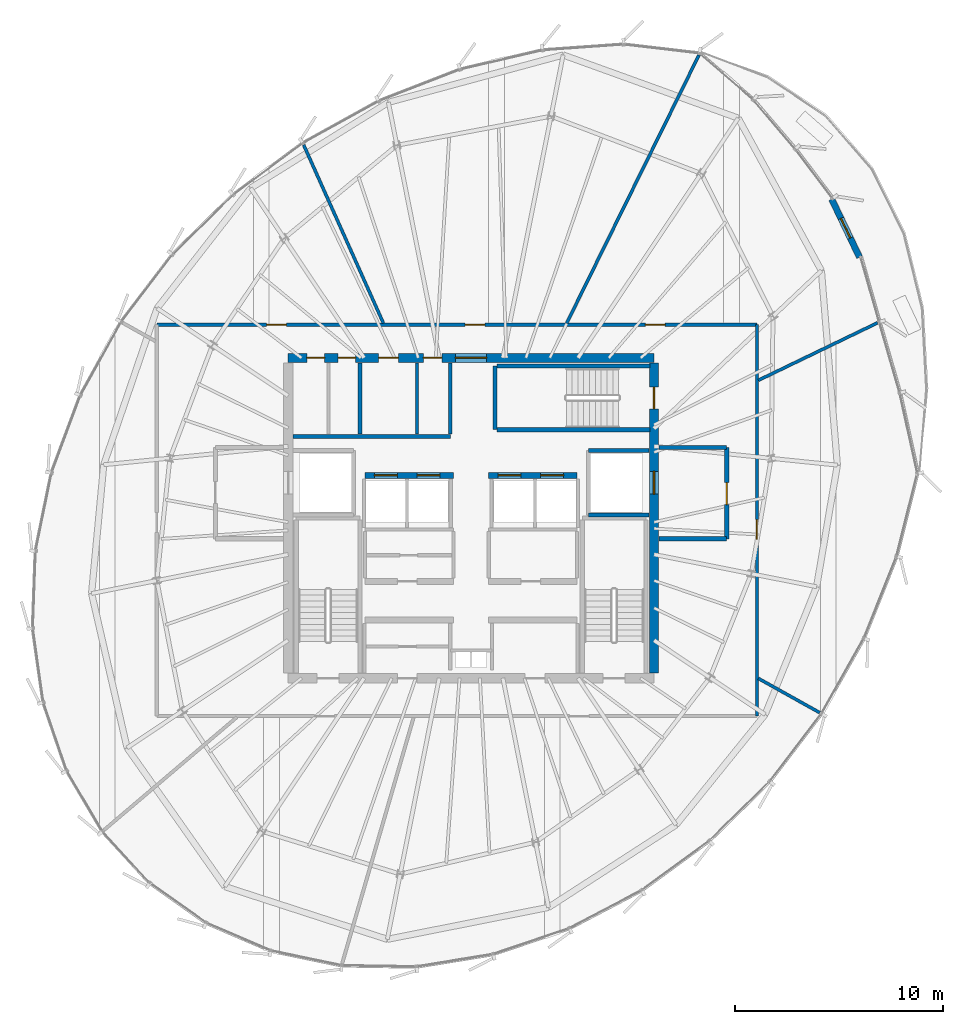
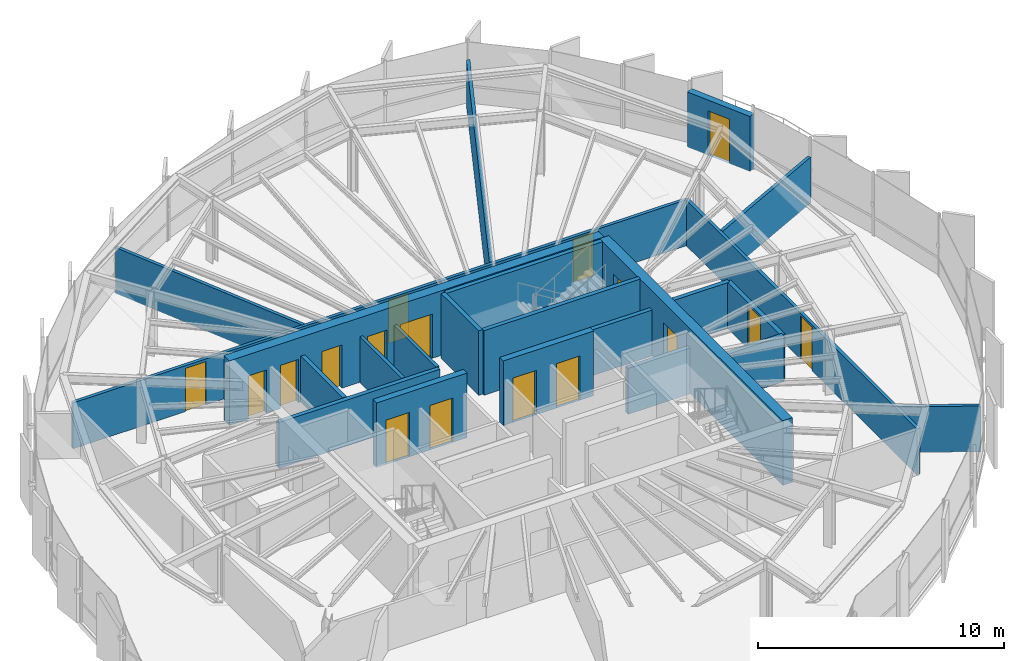
# One storey, part 28 of 34: 23 walls, 17 doors, 17 openings.
"""IFC4 building model written with IfcOpenShell, lengths in metres."""

from ifc_helpers import new_model, si_unit, direction, frame, frame_2d, origin, place, context, subcontext, project, spatial, rectangle, extrude, source, transform, mapped, material, layer, layer_set, type_object, element, fill, save


model = new_model("IFC4")

# Units and contexts
model_context = context("Model", 3, precision=1e-05, world=origin(), true_north=direction((0.0, 1.0)))
body_context = subcontext(model_context, "Body", "Model", "MODEL_VIEW")
ifc_project = project(units=[si_unit("LENGTHUNIT", "METRE"), si_unit("AREAUNIT", "SQUARE_METRE"), si_unit("VOLUMEUNIT", "CUBIC_METRE"), si_unit("PLANEANGLEUNIT", "RADIAN"), si_unit("MASSUNIT", "GRAM", prefix="KILO"), si_unit("THERMODYNAMICTEMPERATUREUNIT", "KELVIN")], contexts=[model_context])

# Site, building, storey
site_placement = place(None, origin())
site = spatial("IfcSite", under=ifc_project, at=site_placement, CompositionType="ELEMENT")
building_placement = place(site_placement, origin())
building = spatial("IfcBuilding", under=site, at=building_placement, Name="Kethvar Cultural Tower", CompositionType="ELEMENT")
storey_placement = place(building_placement, frame((0.0, 0.0, 231.85009765625)))
storey = spatial("IfcBuildingStorey", under=building, at=storey_placement, Name="L60", CompositionType="ELEMENT", Elevation=231.85009765625)

# Wall, openings, doors
ifc_material_1 = material(Name="Concrete C50/60", Category="concrete")
ifc_layer_1 = layer(ifc_material_1, 0.449951171875, Name="Concrete C50/60", Category="concrete")
ifc_layer_set_1 = layer_set([ifc_layer_1], Name="Concrete C50/60 (450 mm)")
wall_type_1 = type_object("IfcWallType", Name="WL-CORE-450", PredefinedType="SHEAR", material=ifc_layer_set_1)
wall_1_placement = place(storey_placement, frame((55.60009765625, 35.5, 0.0), z_axis=(0.0, 0.0, 1.0), x_axis=(-1.0, 0.0, 0.0)))
wall_1 = element("IfcWall", 1, at=wall_1_placement, inside=storey, type_object=wall_type_1, Name="L60 Core Shear Wall N", PredefinedType="SHEAR", context=body_context, shape_type="SweptSolid", body=[
    extrude(rectangle(XDim=17.60009765625, YDim=0.449951171875, at=frame_2d((8.800048828125, 0.0))), origin(), (0.0, 0.0, 1.0), 3.2099609375),
])
opening_1_placement = place(wall_1_placement, frame((8.050048828125, 0.0, 0.0)))
opening_1 = element("IfcOpeningElement", 2, at=opening_1_placement, cuts=wall_1, Name="Opening D-L60-LN", PredefinedType="OPENING", context=body_context, shape_type="SweptSolid", body=[
    extrude(rectangle(XDim=1.5, YDim=2.199951171875, at=frame_2d((0.75, 1.10009765625))), frame((0.0, 0.23486328125, 0.0), z_axis=(0.0, -1.0, 0.0), x_axis=(1.0, 0.0, 0.0)), (0.0, 0.0, 1.0), 0.469970703125),
])
opening_2_placement = place(wall_1_placement, frame((15.85009765625, 0.0, 0.0)))
opening_2 = element("IfcOpeningElement", 3, at=opening_2_placement, cuts=wall_1, Name="Opening D-L60-E1", PredefinedType="OPENING", context=body_context, shape_type="SweptSolid", body=[
    extrude(rectangle(XDim=0.85009765625, YDim=2.14990234375, at=frame_2d((0.425048828125, 1.074951171875))), frame((0.0, 0.23486328125, 0.0), z_axis=(0.0, -1.0, 0.0), x_axis=(1.0, 0.0, 0.0)), (0.0, 0.0, 1.0), 0.469970703125),
])
opening_3_placement = place(wall_1_placement, frame((14.35009765625, 0.0, 0.0)))
opening_3 = element("IfcOpeningElement", 4, at=opening_3_placement, cuts=wall_1, Name="Opening D-L60-E2", PredefinedType="OPENING", context=body_context, shape_type="SweptSolid", body=[
    extrude(rectangle(XDim=0.85009765625, YDim=2.14990234375, at=frame_2d((0.425048828125, 1.074951171875))), frame((0.0, 0.23486328125, 0.0), z_axis=(0.0, -1.0, 0.0), x_axis=(1.0, 0.0, 0.0)), (0.0, 0.0, 1.0), 0.469970703125),
])
opening_4_placement = place(wall_1_placement, frame((12.300048828125, 0.0, 0.0)))
opening_4 = element("IfcOpeningElement", 5, at=opening_4_placement, cuts=wall_1, Name="Opening D-L60-W1", PredefinedType="OPENING", context=body_context, shape_type="SweptSolid", body=[
    extrude(rectangle(XDim=0.949951171875, YDim=2.14990234375, at=frame_2d((0.47509765625, 1.074951171875))), frame((0.0, 0.23486328125, 0.0), z_axis=(0.0, -1.0, 0.0), x_axis=(1.0, 0.0, 0.0)), (0.0, 0.0, 1.0), 0.469970703125),
])
opening_5_placement = place(wall_1_placement, frame((10.199951171875, 0.0, 0.0)))
opening_5 = element("IfcOpeningElement", 6, at=opening_5_placement, cuts=wall_1, Name="Opening D-L60-W2", PredefinedType="OPENING", context=body_context, shape_type="SweptSolid", body=[
    extrude(rectangle(XDim=0.89990234375, YDim=2.14990234375, at=frame_2d((0.449951171875, 1.074951171875))), frame((0.0, 0.23486328125, 0.0), z_axis=(0.0, -1.0, 0.0), x_axis=(1.0, 0.0, 0.0)), (0.0, 0.0, 1.0), 0.469970703125),
])
ifc_material_2 = material(Name="Architectural Oak Timber", Category="wood")
door_type_1 = type_object("IfcDoorType", Name="DR-DBL-FD60-1500", OperationType="DOUBLE_DOOR_SINGLE_SWING", PredefinedType="DOOR", material=ifc_material_2)
shared_shape_1 = source(origin(), body_context, "Body", "SweptSolid", [
    extrude(rectangle(XDim=1.5, YDim=2.199951171875, at=frame_2d((0.75, 1.10009765625))), frame((0.0, 0.02490234375, 0.0), z_axis=(0.0, -1.0, 0.0), x_axis=(1.0, 0.0, 0.0)), (0.0, 0.0, 1.0), 0.050048828125),
])
door_1_placement = place(opening_1_placement, origin())
door_1 = element("IfcDoor", 7, at=door_1_placement, inside=storey, type_object=door_type_1, Name="L60 Lift Lobby Concourse Door", OperationType="DOUBLE_DOOR_SINGLE_SWING", OverallHeight=2.199951171875, OverallWidth=1.5, PredefinedType="DOOR", context=body_context, shape_type="MappedRepresentation", body=[
    mapped(shared_shape_1, transform((0.0, 0.0, 0.0), scale=1.0)),
])
fill(opening_1, door_1)
door_type_2 = type_object("IfcDoorType", Name="DR-FD30-950", OperationType="NOTDEFINED", PredefinedType="DOOR", material=ifc_material_2)
shared_shape_2 = source(origin(), body_context, "Body", "SweptSolid", [
    extrude(rectangle(XDim=0.949951171875, YDim=2.14990234375, at=frame_2d((0.47509765625, 1.074951171875))), frame((0.0, 0.02490234375, 0.0), z_axis=(0.0, -1.0, 0.0), x_axis=(1.0, 0.0, 0.0)), (0.0, 0.0, 1.0), 0.050048828125),
])
door_2_placement = place(opening_4_placement, origin())
door_2 = element("IfcDoor", 8, at=door_2_placement, inside=storey, type_object=door_type_2, Name="L60 Public Washroom Door", OperationType="SINGLE_SWING_LEFT", OverallHeight=2.14990234375, OverallWidth=0.949951171875, PredefinedType="DOOR", context=body_context, shape_type="MappedRepresentation", body=[
    mapped(shared_shape_2, transform((0.0, 0.0, 0.0), scale=1.0)),
])
fill(opening_4, door_2)
door_type_3 = type_object("IfcDoorType", Name="DR-FD30-900", OperationType="NOTDEFINED", PredefinedType="DOOR", material=ifc_material_2)
shared_shape_3 = source(origin(), body_context, "Body", "SweptSolid", [
    extrude(rectangle(XDim=0.89990234375, YDim=2.14990234375, at=frame_2d((0.449951171875, 1.074951171875))), frame((0.0, 0.02490234375, 0.0), z_axis=(0.0, -1.0, 0.0), x_axis=(1.0, 0.0, 0.0)), (0.0, 0.0, 1.0), 0.050048828125),
])
door_3_placement = place(opening_5_placement, origin())
door_3 = element("IfcDoor", 9, at=door_3_placement, inside=storey, type_object=door_type_3, Name="L60 Accessible Washroom Door", OperationType="SINGLE_SWING_RIGHT", OverallHeight=2.14990234375, OverallWidth=0.89990234375, PredefinedType="DOOR", context=body_context, shape_type="MappedRepresentation", body=[
    mapped(shared_shape_3, transform((0.0, 0.0, 0.0), scale=1.0)),
])
fill(opening_5, door_3)
ifc_material_3 = material(Name="Steel S355J2", Category="steel")
door_type_4 = type_object("IfcDoorType", Name="DR-FD30-850", OperationType="NOTDEFINED", PredefinedType="DOOR", material=ifc_material_3)
shared_shape_4 = source(origin(), body_context, "Body", "SweptSolid", [
    extrude(rectangle(XDim=0.85009765625, YDim=2.14990234375, at=frame_2d((0.425048828125, 1.074951171875))), frame((0.0, 0.02490234375, 0.0), z_axis=(0.0, -1.0, 0.0), x_axis=(1.0, 0.0, 0.0)), (0.0, 0.0, 1.0), 0.050048828125),
])
door_4_placement = place(opening_2_placement, origin())
door_4 = element("IfcDoor", 10, at=door_4_placement, inside=storey, type_object=door_type_4, Name="L60 Electrical Riser Door", OperationType="SINGLE_SWING_LEFT", OverallHeight=2.14990234375, OverallWidth=0.85009765625, PredefinedType="DOOR", context=body_context, shape_type="MappedRepresentation", body=[
    mapped(shared_shape_4, transform((0.0, 0.0, 0.0), scale=1.0)),
])
fill(opening_2, door_4)
door_5_placement = place(opening_3_placement, origin())
door_5 = element("IfcDoor", 11, at=door_5_placement, inside=storey, type_object=door_type_4, Name="L60 Chilled Water Riser Door", OperationType="SINGLE_SWING_RIGHT", OverallHeight=2.14990234375, OverallWidth=0.85009765625, PredefinedType="DOOR", context=body_context, shape_type="MappedRepresentation", body=[
    mapped(shared_shape_4, transform((0.0, 0.0, 0.0), scale=1.0)),
])
fill(opening_3, door_5)

wall_2_placement = place(storey_placement, frame((55.60009765625, 20.340087890625, 0.0), z_axis=(0.0, 0.0, 1.0), x_axis=(0.0, 1.0, 0.0)))
wall_2 = element("IfcWall", 12, at=wall_2_placement, inside=storey, type_object=wall_type_1, Name="L60 Core Shear Wall E", PredefinedType="SHEAR", context=body_context, shape_type="SweptSolid", body=[
    extrude(rectangle(XDim=14.919921875, YDim=0.449951171875, at=frame_2d((7.4599609375, 0.0))), origin(), (0.0, 0.0, 1.0), 3.2099609375),
])
opening_6_placement = place(wall_2_placement, frame((12.7099609375, 0.0, 0.0)))
opening_6 = element("IfcOpeningElement", 13, at=opening_6_placement, cuts=wall_2, Name="Opening D-L60-S3", PredefinedType="OPENING", context=body_context, shape_type="SweptSolid", body=[
    extrude(rectangle(XDim=1.050048828125, YDim=2.14990234375, at=frame_2d((0.52490234375, 1.074951171875))), frame((0.0, 0.23486328125, 0.0), z_axis=(0.0, -1.0, 0.0), x_axis=(1.0, 0.0, 0.0)), (0.0, 0.0, 1.0), 0.469970703125),
])
opening_7_placement = place(wall_2_placement, frame((8.610107421875, 0.0, 0.0)))
opening_7 = element("IfcOpeningElement", 14, at=opening_7_placement, cuts=wall_2, Name="Opening LD-2", PredefinedType="OPENING", context=body_context, shape_type="SweptSolid", body=[
    extrude(rectangle(XDim=1.10009765625, YDim=2.199951171875, at=frame_2d((0.550048828125, 1.10009765625))), frame((0.0, 0.23486328125, 0.0), z_axis=(0.0, -1.0, 0.0), x_axis=(1.0, 0.0, 0.0)), (0.0, 0.0, 1.0), 0.469970703125),
])
door_type_5 = type_object("IfcDoorType", Name="DR-FD60-1050", OperationType="NOTDEFINED", PredefinedType="DOOR", material=ifc_material_3)
shared_shape_5 = source(origin(), body_context, "Body", "SweptSolid", [
    extrude(rectangle(XDim=1.050048828125, YDim=2.14990234375, at=frame_2d((0.52490234375, 1.074951171875))), frame((0.0, 0.02490234375, 0.0), z_axis=(0.0, -1.0, 0.0), x_axis=(1.0, 0.0, 0.0)), (0.0, 0.0, 1.0), 0.050048828125),
])
door_6_placement = place(opening_6_placement, origin())
door_6 = element("IfcDoor", 15, at=door_6_placement, inside=storey, type_object=door_type_5, Name="L60 Exit Stair 3 Door", OperationType="SINGLE_SWING_LEFT", OverallHeight=2.14990234375, OverallWidth=1.050048828125, PredefinedType="DOOR", context=body_context, shape_type="MappedRepresentation", body=[
    mapped(shared_shape_5, transform((0.0, 0.0, 0.0), scale=1.0)),
])
fill(opening_6, door_6)
door_type_6 = type_object("IfcDoorType", Name="DR-LIFT-SLIDE-1100", OperationType="NOTDEFINED", PredefinedType="DOOR", material=ifc_material_3)
shared_shape_6 = source(origin(), body_context, "Body", "SweptSolid", [
    extrude(rectangle(XDim=1.10009765625, YDim=2.199951171875, at=frame_2d((0.550048828125, 1.10009765625))), frame((0.0, 0.02490234375, 0.0), z_axis=(0.0, -1.0, 0.0), x_axis=(1.0, 0.0, 0.0)), (0.0, 0.0, 1.0), 0.050048828125),
])
door_7_placement = place(opening_7_placement, origin())
door_7 = element("IfcDoor", 16, at=door_7_placement, inside=storey, type_object=door_type_6, Name="L60 Firefighting Lift Landing Door FFL-02", OperationType="SLIDING_TO_RIGHT", OverallHeight=2.199951171875, OverallWidth=1.10009765625, PredefinedType="DOOR", context=body_context, shape_type="MappedRepresentation", body=[
    mapped(shared_shape_6, transform((0.0, 0.0, 0.0), scale=1.0)),
])
fill(opening_7, door_7)

# Wall, opening, door
ifc_material_4 = material(Name="Concrete C40/50", Category="concrete")
ifc_layer_2 = layer(ifc_material_4, 0.300048828125, Name="Concrete C40/50", Category="concrete")
ifc_layer_set_2 = layer_set([ifc_layer_2], Name="Concrete C40/50 (300 mm)")
wall_type_2 = type_object("IfcWallType", Name="WL-EXT-TER-300", PredefinedType="SOLIDWALL", material=ifc_layer_set_2)
wall_3_placement = place(storey_placement, frame((64.150390625, 43.135986328125, 0.0), z_axis=(0.0, 0.0, 1.0), x_axis=(0.431829849954, -0.901955087955, 0.0)))
wall_3 = element("IfcWall", 17, at=wall_3_placement, inside=storey, type_object=wall_type_2, Name="L60 Sky Terrace Access Wall", PredefinedType="SOLIDWALL", context=body_context, shape_type="SweptSolid", body=[
    extrude(rectangle(XDim=3.092041015625, YDim=0.300048828125, at=frame_2d((1.5458984375, 0.0))), origin(), (0.0, 0.0, 1.0), 2.73486328125),
])
opening_8_placement = place(wall_3_placement, frame((1.02099609375, 0.0, 0.0)))
opening_8 = element("IfcOpeningElement", 18, at=opening_8_placement, cuts=wall_3, Name="Opening D-L60-T1", PredefinedType="OPENING", context=body_context, shape_type="SweptSolid", body=[
    extrude(rectangle(XDim=1.050048828125, YDim=2.199951171875, at=frame_2d((0.52490234375, 1.10009765625))), frame((0.0, 0.159912109375, 0.0), z_axis=(0.0, -1.0, 0.0), x_axis=(1.0, 0.0, 0.0)), (0.0, 0.0, 1.0), 0.320068359375),
])
ifc_material_5 = material(Name="Aluminium 6063-T6", Category="aluminium")
door_type_7 = type_object("IfcDoorType", Name="DR-EXT-TER-1050", OperationType="NOTDEFINED", PredefinedType="DOOR", material=ifc_material_5)
shared_shape_7 = source(origin(), body_context, "Body", "SweptSolid", [
    extrude(rectangle(XDim=1.050048828125, YDim=2.199951171875, at=frame_2d((0.52490234375, 1.10009765625))), frame((0.0, 0.02490234375, 0.0), z_axis=(0.0, -1.0, 0.0), x_axis=(1.0, 0.0, 0.0)), (0.0, 0.0, 1.0), 0.050048828125),
])
door_8_placement = place(opening_8_placement, origin())
door_8 = element("IfcDoor", 19, at=door_8_placement, inside=storey, type_object=door_type_7, Name="L60 Sky Terrace Access Door D-L60-T1", OperationType="SINGLE_SWING_RIGHT", OverallHeight=2.199951171875, OverallWidth=1.050048828125, PredefinedType="DOOR", context=body_context, shape_type="MappedRepresentation", body=[
    mapped(shared_shape_7, transform((0.0, 0.0, 0.0), scale=1.0)),
])
fill(opening_8, door_8)

# Wall
ifc_material_6 = material(Name="Gypsum Fireboard Partition")
ifc_layer_3 = layer(ifc_material_6, 0.14990234375, Name="Gypsum Fireboard Partition")
ifc_layer_set_3 = layer_set([ifc_layer_3], Name="Gypsum Fireboard Partition (150 mm)")
wall_type_3 = type_object("IfcWallType", Name="WL-FIRE-150", PredefinedType="PARTITIONING", material=ifc_layer_set_3)
wall_4_placement = place(storey_placement, frame((45.800048828125, 31.85009765625, 0.0), z_axis=(0.0, 0.0, 1.0), x_axis=(0.0, 1.0, 0.0)))
element("IfcWall", 20, at=wall_4_placement, inside=storey, type_object=wall_type_3, Name="L60 Sanitary Spine Wall", PredefinedType="PARTITIONING", context=body_context, shape_type="SweptSolid", body=[
    extrude(rectangle(XDim=3.414794921875, YDim=0.14990234375, at=frame_2d((1.70751953125, 0.0))), origin(), (0.0, 0.0, 1.0), 2.27978515625),
])

# Wall, opening, door
wall_5_placement = place(storey_placement, frame((60.550048828125, 18.26904296875, 0.0), z_axis=(0.0, 0.0, 1.0), x_axis=(0.0, 1.0, 0.0)))
wall_5 = element("IfcWall", 21, at=wall_5_placement, inside=storey, type_object=wall_type_3, Name="L60 Corridor Rated Wall E", PredefinedType="PARTITIONING", context=body_context, shape_type="SweptSolid", body=[
    extrude(rectangle(XDim=18.8310546875, YDim=0.14990234375, at=frame_2d((9.41552734375, 0.0))), origin(), (0.0, 0.0, 1.0), 2.27978515625),
])
opening_9_placement = place(wall_5_placement, frame((8.508056640625, 0.0, 0.0)))
opening_9 = element("IfcOpeningElement", 22, at=opening_9_placement, cuts=wall_5, Name="Opening D-L60-03", PredefinedType="OPENING", context=body_context, shape_type="SweptSolid", body=[
    extrude(rectangle(XDim=0.949951171875, YDim=2.14990234375, at=frame_2d((0.47509765625, 1.074951171875))), frame((0.0, 0.0849609375, 0.0), z_axis=(0.0, -1.0, 0.0), x_axis=(1.0, 0.0, 0.0)), (0.0, 0.0, 1.0), 0.169921875),
])
door_9_placement = place(opening_9_placement, origin())
door_9 = element("IfcDoor", 23, at=door_9_placement, inside=storey, type_object=door_type_2, Name="L60 Collection Archive Storage 03 Door", OperationType="SINGLE_SWING_LEFT", OverallHeight=2.14990234375, OverallWidth=0.949951171875, PredefinedType="DOOR", context=body_context, shape_type="MappedRepresentation", body=[
    mapped(shared_shape_2, transform((0.0, 0.0, 0.0), scale=1.0)),
])
fill(opening_9, door_9)

# Wall, openings, doors
wall_6_placement = place(storey_placement, frame((60.550048828125, 37.10009765625, 0.0), z_axis=(0.0, 0.0, 1.0), x_axis=(-1.0, 0.0, 0.0)))
wall_6 = element("IfcWall", 24, at=wall_6_placement, inside=storey, type_object=wall_type_3, Name="L60 Corridor Rated Wall N", PredefinedType="PARTITIONING", context=body_context, shape_type="SweptSolid", body=[
    extrude(rectangle(XDim=28.8701171875, YDim=0.14990234375, at=frame_2d((14.43505859375, 0.0))), origin(), (0.0, 0.0, 1.0), 2.27978515625),
])
opening_10_placement = place(wall_6_placement, frame((4.40869140625, 0.0, 0.0)))
opening_10 = element("IfcOpeningElement", 25, at=opening_10_placement, cuts=wall_6, Name="Opening D-L60-04", PredefinedType="OPENING", context=body_context, shape_type="SweptSolid", body=[
    extrude(rectangle(XDim=0.949951171875, YDim=2.14990234375, at=frame_2d((0.47509765625, 1.074951171875))), frame((0.0, 0.0849609375, 0.0), z_axis=(0.0, -1.0, 0.0), x_axis=(1.0, 0.0, 0.0)), (0.0, 0.0, 1.0), 0.169921875),
])
opening_11_placement = place(wall_6_placement, frame((13.083740234375, 0.0, 0.0)))
opening_11 = element("IfcOpeningElement", 26, at=opening_11_placement, cuts=wall_6, Name="Opening D-L60-05", PredefinedType="OPENING", context=body_context, shape_type="SweptSolid", body=[
    extrude(rectangle(XDim=0.949951171875, YDim=2.14990234375, at=frame_2d((0.47509765625, 1.074951171875))), frame((0.0, 0.0849609375, 0.0), z_axis=(0.0, -1.0, 0.0), x_axis=(1.0, 0.0, 0.0)), (0.0, 0.0, 1.0), 0.169921875),
])
opening_12_placement = place(wall_6_placement, frame((22.637451171875, 0.0, 0.0)))
opening_12 = element("IfcOpeningElement", 27, at=opening_12_placement, cuts=wall_6, Name="Opening D-L60-06", PredefinedType="OPENING", context=body_context, shape_type="SweptSolid", body=[
    extrude(rectangle(XDim=0.949951171875, YDim=2.14990234375, at=frame_2d((0.47509765625, 1.074951171875))), frame((0.0, 0.0849609375, 0.0), z_axis=(0.0, -1.0, 0.0), x_axis=(1.0, 0.0, 0.0)), (0.0, 0.0, 1.0), 0.169921875),
])
door_10_placement = place(opening_10_placement, origin())
door_10 = element("IfcDoor", 28, at=door_10_placement, inside=storey, type_object=door_type_2, Name="L60 Compact Archival Store 04 Door", OperationType="SINGLE_SWING_RIGHT", OverallHeight=2.14990234375, OverallWidth=0.949951171875, PredefinedType="DOOR", context=body_context, shape_type="MappedRepresentation", body=[
    mapped(shared_shape_2, transform((0.0, 0.0, 0.0), scale=1.0)),
])
fill(opening_10, door_10)
door_11_placement = place(opening_11_placement, origin())
door_11 = element("IfcDoor", 29, at=door_11_placement, inside=storey, type_object=door_type_2, Name="L60 Staff Tea Pantry 05 Door", OperationType="SINGLE_SWING_LEFT", OverallHeight=2.14990234375, OverallWidth=0.949951171875, PredefinedType="DOOR", context=body_context, shape_type="MappedRepresentation", body=[
    mapped(shared_shape_2, transform((0.0, 0.0, 0.0), scale=1.0)),
])
fill(opening_11, door_11)
door_12_placement = place(opening_12_placement, origin())
door_12 = element("IfcDoor", 30, at=door_12_placement, inside=storey, type_object=door_type_2, Name="L60 Cartography Reading Library 06 Door", OperationType="SINGLE_SWING_RIGHT", OverallHeight=2.14990234375, OverallWidth=0.949951171875, PredefinedType="DOOR", context=body_context, shape_type="MappedRepresentation", body=[
    mapped(shared_shape_2, transform((0.0, 0.0, 0.0), scale=1.0)),
])
fill(opening_12, door_12)

# Walls
ifc_layer_4 = layer(ifc_material_4, 0.199951171875, Name="Concrete C40/50", Category="concrete")
ifc_layer_set_4 = layer_set([ifc_layer_4], Name="Concrete C40/50 (200 mm)")
wall_type_4 = type_object("IfcWallType", Name="WL-FIRE-200", PredefinedType="PARTITIONING", material=ifc_layer_set_4)
for number, where, z_axis, x_axis, name in (
    (31, (52.449951171875, 27.949951171875, 0.0), (0.0, 0.0, 1.0), (1.0, 0.0, 0.0), "L60 FFL-02 Shaft South Wall"),
    (32, (52.449951171875, 31.050048828125, 0.0), (0.0, 0.0, 1.0), (1.0, 0.0, 0.0), "L60 FFL-02 Shaft North Wall"),
):
    element("IfcWall", number, at=place(storey_placement, frame(where, z_axis=z_axis, x_axis=x_axis)), inside=storey, type_object=wall_type_4, Name=name, PredefinedType="PARTITIONING", context=body_context, shape_type="SweptSolid", body=[
        extrude(rectangle(XDim=2.9150390625, YDim=0.199951171875, at=frame_2d((1.45751953125, 0.0))), origin(), (0.0, 0.0, 1.0), 2.27978515625),
    ])

# Wall, opening, door
wall_7_placement = place(storey_placement, frame((59.10009765625, 26.800048828125, 0.0), z_axis=(0.0, 0.0, 1.0), x_axis=(0.0, 1.0, 0.0)))
wall_7 = element("IfcWall", 33, at=wall_7_placement, inside=storey, type_object=wall_type_4, Name="L60 Firefighting Lobby 2 Wall", PredefinedType="PARTITIONING", context=body_context, shape_type="SweptSolid", body=[
    extrude(rectangle(XDim=4.39990234375, YDim=0.199951171875, at=frame_2d((2.199951171875, 0.0))), origin(), (0.0, 0.0, 1.0), 2.27978515625),
])
opening_13_placement = place(wall_7_placement, frame((1.64990234375, 0.0, 0.0)))
opening_13 = element("IfcOpeningElement", 34, at=opening_13_placement, cuts=wall_7, Name="Opening D-L60-F2", PredefinedType="OPENING", context=body_context, shape_type="SweptSolid", body=[
    extrude(rectangle(XDim=1.050048828125, YDim=2.14990234375, at=frame_2d((0.52490234375, 1.074951171875))), frame((0.0, 0.10986328125, 0.0), z_axis=(0.0, -1.0, 0.0), x_axis=(1.0, 0.0, 0.0)), (0.0, 0.0, 1.0), 0.219970703125),
])
door_13_placement = place(opening_13_placement, origin())
door_13 = element("IfcDoor", 35, at=door_13_placement, inside=storey, type_object=door_type_5, Name="L60 Firefighting Lobby 2 Fire Door", OperationType="SINGLE_SWING_LEFT", OverallHeight=2.14990234375, OverallWidth=1.050048828125, PredefinedType="DOOR", context=body_context, shape_type="MappedRepresentation", body=[
    mapped(shared_shape_5, transform((0.0, 0.0, 0.0), scale=1.0)),
])
fill(opening_13, door_13)

# Walls
for number, where, z_axis, x_axis, name in (
    (36, (55.8349609375, 26.800048828125, 0.0), (0.0, 0.0, 1.0), (1.0, 0.0, 0.0), "L60 FF Lobby 2 South Wall"),
    (37, (55.8349609375, 31.199951171875, 0.0), (0.0, 0.0, 1.0), (1.0, 0.0, 0.0), "L60 FF Lobby 2 North Wall"),
):
    element("IfcWall", number, at=place(storey_placement, frame(where, z_axis=z_axis, x_axis=x_axis)), inside=storey, type_object=wall_type_4, Name=name, PredefinedType="PARTITIONING", context=body_context, shape_type="SweptSolid", body=[
        extrude(rectangle(XDim=3.26513671875, YDim=0.199951171875, at=frame_2d((1.632568359375, 0.0))), origin(), (0.0, 0.0, 1.0), 2.27978515625),
    ])
wall_8_placement = place(storey_placement, frame((41.449951171875, 31.85009765625, 0.0), z_axis=(0.0, 0.0, 1.0), x_axis=(0.0, 1.0, 0.0)))
element("IfcWall", 38, at=wall_8_placement, inside=storey, type_object=wall_type_4, Name="L60 NW Core Pocket Wall", PredefinedType="PARTITIONING", context=body_context, shape_type="SweptSolid", body=[
    extrude(rectangle(XDim=3.414794921875, YDim=0.199951171875, at=frame_2d((1.70751953125, 0.0))), origin(), (0.0, 0.0, 1.0), 2.27978515625),
])
wall_9_placement = place(storey_placement, frame((38.235107421875, 31.72998046875, 0.0), z_axis=(0.0, 0.0, 1.0), x_axis=(1.0, 0.0, 0.0)))
element("IfcWall", 39, at=wall_9_placement, inside=storey, type_object=wall_type_4, Name="L60 North Core Sanitary South Wall", PredefinedType="PARTITIONING", context=body_context, shape_type="SweptSolid", body=[
    extrude(rectangle(XDim=7.56494140625, YDim=0.199951171875, at=frame_2d((3.782470703125, 0.0))), origin(), (0.0, 0.0, 1.0), 2.27978515625),
])
ifc_material_7 = material(Name="Gypsum Acoustic Partition")
ifc_layer_5 = layer(ifc_material_7, 0.14990234375, Name="Gypsum Acoustic Partition")
ifc_layer_set_5 = layer_set([ifc_layer_5], Name="Gypsum Acoustic Partition (150 mm)")
wall_type_5 = type_object("IfcWallType", Name="WL-PART-150", PredefinedType="PARTITIONING", material=ifc_layer_set_5)
wall_10_placement = place(storey_placement, frame((60.619873046875, 20.08447265625, 0.0), z_axis=(0.0, 0.0, 1.0), x_axis=(0.873229838151, -0.487308577559, 0.0)))
element("IfcWall", 40, at=wall_10_placement, inside=storey, type_object=wall_type_5, Name="L60 Radial Partition Wall 03", PredefinedType="PARTITIONING", context=body_context, shape_type="SweptSolid", body=[
    extrude(rectangle(XDim=3.38330078125, YDim=0.14990234375, at=frame_2d((1.691650390625, 0.0))), origin(), (0.0, 0.0, 1.0), 2.27978515625),
])
wall_11_placement = place(storey_placement, frame((60.6220703125, 34.42578125, 0.0), z_axis=(0.0, 0.0, 1.0), x_axis=(0.900645362469, 0.434554865424, 0.0)))
element("IfcWall", 41, at=wall_11_placement, inside=storey, type_object=wall_type_5, Name="L60 Radial Partition Wall 04", PredefinedType="PARTITIONING", context=body_context, shape_type="SweptSolid", body=[
    extrude(rectangle(XDim=6.36376953125, YDim=0.14990234375, at=frame_2d((3.181884765625, 0.0))), origin(), (0.0, 0.0, 1.0), 2.27978515625),
])
wall_12_placement = place(storey_placement, frame((51.39794921875, 37.171630859375, 0.0), z_axis=(0.0, 0.0, 1.0), x_axis=(0.442495584372, 0.896770682957, 0.0)))
element("IfcWall", 42, at=wall_12_placement, inside=storey, type_object=wall_type_5, Name="L60 Radial Partition Wall 05", PredefinedType="PARTITIONING", context=body_context, shape_type="SweptSolid", body=[
    extrude(rectangle(XDim=14.3837890625, YDim=0.14990234375, at=frame_2d((7.19189453125, 0.0))), origin(), (0.0, 0.0, 1.0), 2.27978515625),
])
wall_13_placement = place(storey_placement, frame((42.58251953125, 37.173095703125, 0.0), z_axis=(0.0, 0.0, 1.0), x_axis=(-0.40829484659, 0.912850107218, 0.0)))
element("IfcWall", 43, at=wall_13_placement, inside=storey, type_object=wall_type_5, Name="L60 Radial Partition Wall 06", PredefinedType="PARTITIONING", context=body_context, shape_type="SweptSolid", body=[
    extrude(rectangle(XDim=9.396728515625, YDim=0.14990234375, at=frame_2d((4.6982421875, 0.0))), origin(), (0.0, 0.0, 1.0), 2.27978515625),
])
ifc_material_8 = material(Name="Moisture-Resistant Sanitary Chase Wall")
ifc_layer_6 = layer(ifc_material_8, 0.14990234375, Name="Moisture-Resistant Sanitary Chase Wall")
ifc_layer_set_6 = layer_set([ifc_layer_6], Name="Moisture-Resistant Sanitary Chase Wall (150 mm)")
wall_type_6 = type_object("IfcWallType", Name="WL-PLUMB-150", PredefinedType="PLUMBINGWALL", material=ifc_layer_set_6)
wall_14_placement = place(storey_placement, frame((44.199951171875, 31.85009765625, 0.0), z_axis=(0.0, 0.0, 1.0), x_axis=(0.0, 1.0, 0.0)))
element("IfcWall", 44, at=wall_14_placement, inside=storey, type_object=wall_type_6, Name="L60 Sanitary Plumbing Wall", PredefinedType="PLUMBINGWALL", context=body_context, shape_type="SweptSolid", body=[
    extrude(rectangle(XDim=3.414794921875, YDim=0.14990234375, at=frame_2d((1.70751953125, 0.0))), origin(), (0.0, 0.0, 1.0), 2.27978515625),
])

# Wall, openings, doors
ifc_layer_7 = layer(ifc_material_1, 0.300048828125, Name="Concrete C50/60", Category="concrete")
ifc_layer_set_7 = layer_set([ifc_layer_7], Name="Concrete C50/60 (300 mm)")
wall_type_7 = type_object("IfcWallType", Name="WL-SHAFT-300", PredefinedType="SHEAR", material=ifc_layer_set_7)
wall_15_placement = place(storey_placement, frame((41.699951171875, 29.85009765625, 0.0), z_axis=(0.0, 0.0, 1.0), x_axis=(1.0, 0.0, 0.0)))
wall_15 = element("IfcWall", 45, at=wall_15_placement, inside=storey, type_object=wall_type_7, Name="L60 Core Lift Spine Wall MID3W", PredefinedType="SHEAR", context=body_context, shape_type="SweptSolid", body=[
    extrude(rectangle(XDim=4.25, YDim=0.300048828125, at=frame_2d((2.125, 0.0))), origin(), (0.0, 0.0, 1.0), 3.2099609375),
])
opening_14_placement = place(wall_15_placement, frame((0.449951171875, 0.0, 0.0)))
opening_14 = element("IfcOpeningElement", 46, at=opening_14_placement, cuts=wall_15, Name="Opening LD-H1", PredefinedType="OPENING", context=body_context, shape_type="SweptSolid", body=[
    extrude(rectangle(XDim=1.10009765625, YDim=2.199951171875, at=frame_2d((0.550048828125, 1.10009765625))), frame((0.0, 0.159912109375, 0.0), z_axis=(0.0, -1.0, 0.0), x_axis=(1.0, 0.0, 0.0)), (0.0, 0.0, 1.0), 0.320068359375),
])
opening_15_placement = place(wall_15_placement, frame((2.5, 0.0, 0.0)))
opening_15 = element("IfcOpeningElement", 47, at=opening_15_placement, cuts=wall_15, Name="Opening LD-H2", PredefinedType="OPENING", context=body_context, shape_type="SweptSolid", body=[
    extrude(rectangle(XDim=1.10009765625, YDim=2.199951171875, at=frame_2d((0.550048828125, 1.10009765625))), frame((0.0, 0.159912109375, 0.0), z_axis=(0.0, -1.0, 0.0), x_axis=(1.0, 0.0, 0.0)), (0.0, 0.0, 1.0), 0.320068359375),
])
door_14_placement = place(opening_14_placement, origin())
door_14 = element("IfcDoor", 48, at=door_14_placement, inside=storey, type_object=door_type_6, Name="L60 High-Rise Lift Landing Door H1", OperationType="SLIDING_TO_LEFT", OverallHeight=2.199951171875, OverallWidth=1.10009765625, PredefinedType="DOOR", context=body_context, shape_type="MappedRepresentation", body=[
    mapped(shared_shape_6, transform((0.0, 0.0, 0.0), scale=1.0)),
])
fill(opening_14, door_14)
door_15_placement = place(opening_15_placement, origin())
door_15 = element("IfcDoor", 49, at=door_15_placement, inside=storey, type_object=door_type_6, Name="L60 High-Rise Lift Landing Door H2", OperationType="SLIDING_TO_LEFT", OverallHeight=2.199951171875, OverallWidth=1.10009765625, PredefinedType="DOOR", context=body_context, shape_type="MappedRepresentation", body=[
    mapped(shared_shape_6, transform((0.0, 0.0, 0.0), scale=1.0)),
])
fill(opening_15, door_15)

wall_16_placement = place(storey_placement, frame((47.64990234375, 29.85009765625, 0.0), z_axis=(0.0, 0.0, 1.0), x_axis=(1.0, 0.0, 0.0)))
wall_16 = element("IfcWall", 50, at=wall_16_placement, inside=storey, type_object=wall_type_7, Name="L60 Core Lift Spine Wall MID3E", PredefinedType="SHEAR", context=body_context, shape_type="SweptSolid", body=[
    extrude(rectangle(XDim=4.25, YDim=0.300048828125, at=frame_2d((2.125, 0.0))), origin(), (0.0, 0.0, 1.0), 3.2099609375),
])
opening_16_placement = place(wall_16_placement, frame((0.449951171875, 0.0, 0.0)))
opening_16 = element("IfcOpeningElement", 51, at=opening_16_placement, cuts=wall_16, Name="Opening LD-H3", PredefinedType="OPENING", context=body_context, shape_type="SweptSolid", body=[
    extrude(rectangle(XDim=1.10009765625, YDim=2.199951171875, at=frame_2d((0.550048828125, 1.10009765625))), frame((0.0, 0.159912109375, 0.0), z_axis=(0.0, -1.0, 0.0), x_axis=(1.0, 0.0, 0.0)), (0.0, 0.0, 1.0), 0.320068359375),
])
opening_17_placement = place(wall_16_placement, frame((2.5, 0.0, 0.0)))
opening_17 = element("IfcOpeningElement", 52, at=opening_17_placement, cuts=wall_16, Name="Opening LD-H4", PredefinedType="OPENING", context=body_context, shape_type="SweptSolid", body=[
    extrude(rectangle(XDim=1.10009765625, YDim=2.199951171875, at=frame_2d((0.550048828125, 1.10009765625))), frame((0.0, 0.159912109375, 0.0), z_axis=(0.0, -1.0, 0.0), x_axis=(1.0, 0.0, 0.0)), (0.0, 0.0, 1.0), 0.320068359375),
])
door_16_placement = place(opening_16_placement, origin())
door_16 = element("IfcDoor", 53, at=door_16_placement, inside=storey, type_object=door_type_6, Name="L60 High-Rise Lift Landing Door H3", OperationType="SLIDING_TO_LEFT", OverallHeight=2.199951171875, OverallWidth=1.10009765625, PredefinedType="DOOR", context=body_context, shape_type="MappedRepresentation", body=[
    mapped(shared_shape_6, transform((0.0, 0.0, 0.0), scale=1.0)),
])
fill(opening_16, door_16)
door_17_placement = place(opening_17_placement, origin())
door_17 = element("IfcDoor", 54, at=door_17_placement, inside=storey, type_object=door_type_6, Name="L60 High-Rise Lift Landing Door H4", OperationType="SLIDING_TO_LEFT", OverallHeight=2.199951171875, OverallWidth=1.10009765625, PredefinedType="DOOR", context=body_context, shape_type="MappedRepresentation", body=[
    mapped(shared_shape_6, transform((0.0, 0.0, 0.0), scale=1.0)),
])
fill(opening_17, door_17)

# Walls
ifc_layer_8 = layer(ifc_material_1, 0.199951171875, Name="Concrete C50/60", Category="concrete")
ifc_layer_set_8 = layer_set([ifc_layer_8], Name="Concrete C50/60 (200 mm)")
wall_type_8 = type_object("IfcWallType", Name="WL-STSHAFT-200", PredefinedType="SHEAR", material=ifc_layer_set_8)
wall_17_placement = place(storey_placement, frame((47.949951171875, 32.050048828125, 0.0), z_axis=(0.0, 0.0, 1.0), x_axis=(0.0, 1.0, 0.0)))
element("IfcWall", 55, at=wall_17_placement, inside=storey, type_object=wall_type_8, Name="L60 ST-03 Stair Shaft Wall FAR", PredefinedType="SHEAR", context=body_context, shape_type="SweptSolid", body=[
    extrude(rectangle(XDim=3.06005859375, YDim=0.199951171875, at=frame_2d((1.530029296875, 0.0))), origin(), (0.0, 0.0, 1.0), 3.2099609375),
])
for number, where, z_axis, x_axis, name in (
    (56, (48.050048828125, 35.110107421875, 0.0), (0.0, 0.0, 1.0), (1.0, 0.0, 0.0), "L60 ST-03 Stair Shaft Wall LEFT"),
    (57, (55.39990234375, 32.050048828125, 0.0), (0.0, 0.0, 1.0), (-1.0, 0.0, 0.0), "L60 ST-03 Stair Shaft Wall RIGHT"),
):
    element("IfcWall", number, at=place(storey_placement, frame(where, z_axis=z_axis, x_axis=x_axis)), inside=storey, type_object=wall_type_8, Name=name, PredefinedType="SHEAR", context=body_context, shape_type="SweptSolid", body=[
        extrude(rectangle(XDim=7.349853515625, YDim=0.199951171875, at=frame_2d((3.6748046875, 0.0))), origin(), (0.0, 0.0, 1.0), 3.2099609375),
    ])

save(model, "model.ifc")
